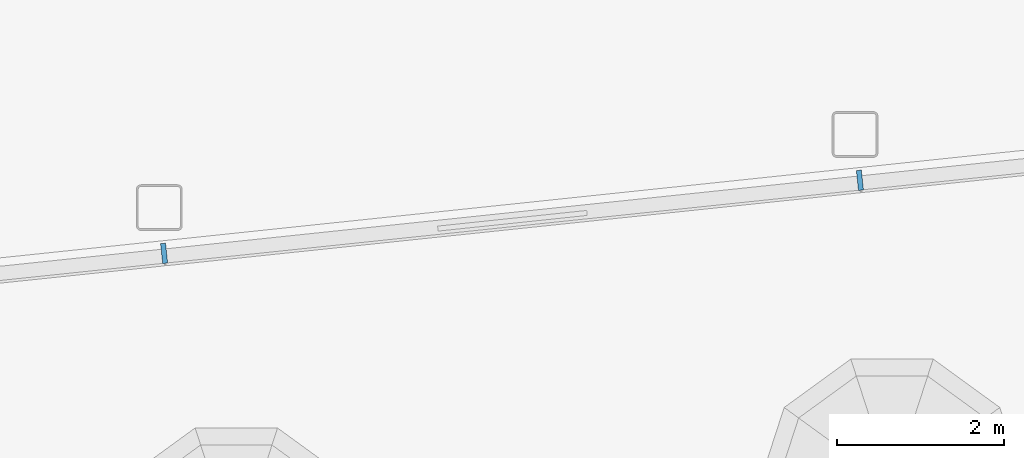
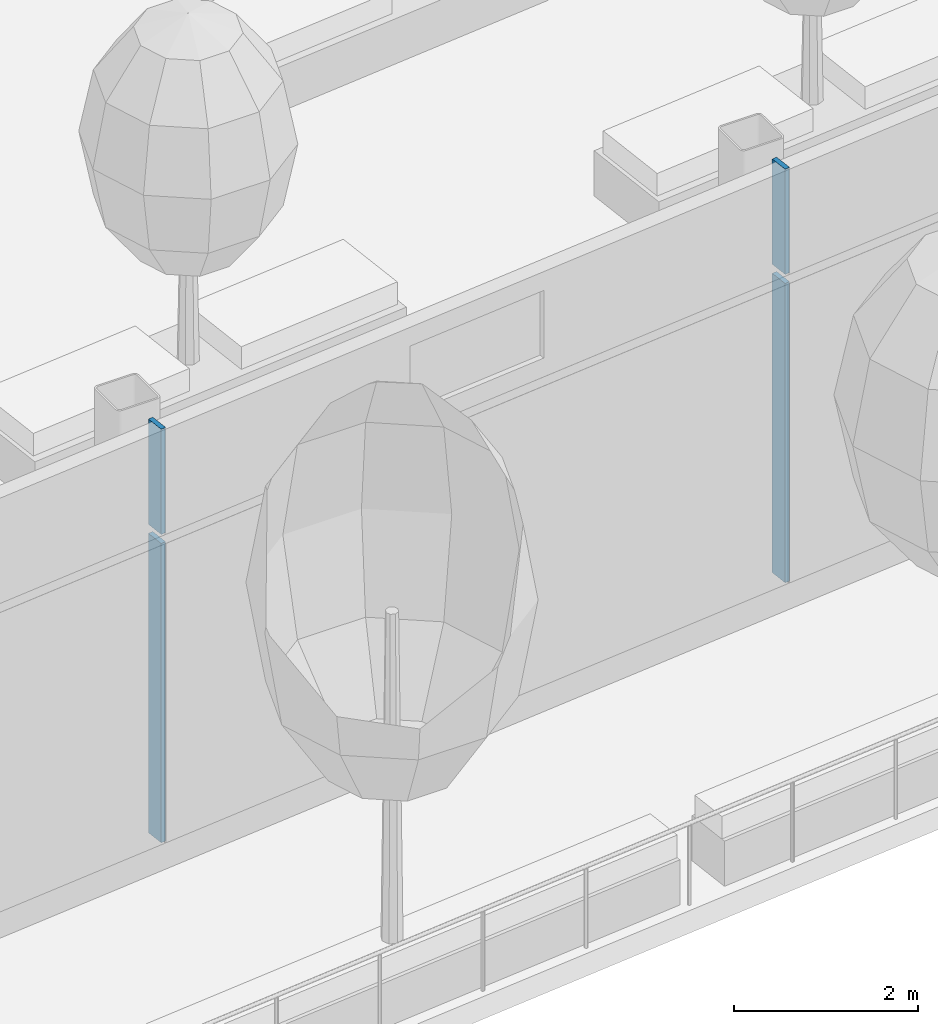
# One storey, part 4 of 42: 4 members, 1 element without a shape of its own.
"""IFC4 building model written with IfcOpenShell, lengths in metres."""

from ifc_helpers import new_model, si_unit, direction, frame, origin, origin_2d, place, context, subcontext, project, spatial, rectangle, extrude, material, layer, layer_set, material_profile, profile_set, type_object, element, aggregate, save


model = new_model("IFC4")

# Units and contexts
model_context = context("Model", 3, precision=1e-05, world=origin(), true_north=direction((0.0, 1.0)))
body_context = subcontext(model_context, "Body", "Model", "MODEL_VIEW")
ifc_project = project(units=[si_unit("LENGTHUNIT", "METRE"), si_unit("AREAUNIT", "SQUARE_METRE"), si_unit("VOLUMEUNIT", "CUBIC_METRE"), si_unit("PLANEANGLEUNIT", "RADIAN"), si_unit("MASSUNIT", "GRAM", prefix="KILO")], contexts=[model_context])

# Site, building, storey
site_placement = place(None, origin())
site = spatial("IfcSite", under=ifc_project, at=site_placement, CompositionType="ELEMENT")
building_placement = place(site_placement, origin())
building = spatial("IfcBuilding", under=site, at=building_placement, Name="Hakoniwa Tower and Hamabe Station Hall", CompositionType="ELEMENT")
storey_placement = place(building_placement, frame((0.0, 0.0, 232.60009765625)))
storey = spatial("IfcBuildingStorey", under=building, at=storey_placement, Name="L66", CompositionType="ELEMENT", Elevation=232.60009765625)

# Curtain wall, members
ifc_material_1 = material(Name="Dark low-e laminated glass", Category="glass")
ifc_layer = layer(ifc_material_1, 0.199951171875)
ifc_layer_set = layer_set([ifc_layer], Name="CW-2 SKY GARDEN")
curtain_wall_type = type_object("IfcCurtainWallType", Name="CW-2 SKY GARDEN", PredefinedType="NOTDEFINED", material=ifc_layer_set)
curtain_wall_placement = place(storey_placement, origin())
curtain_wall = element("IfcCurtainWall", 1, at=curtain_wall_placement, inside=storey, type_object=curtain_wall_type, Name="CW-2 curtain wall", PredefinedType="NOTDEFINED")
ifc_material_2 = material(Name="Aluminium 6063-T5 black anodised", Category="aluminium")
ifc_material_profile = material_profile(ifc_material_2, rectangle(XDim=0.06005859375, YDim=0.239990234375, at=origin_2d()), Name="CW-2 MULLION 60X240")
ifc_profile_set = profile_set([ifc_material_profile], Name="Aluminium 6063-T5 black anodised")
member_type = type_object("IfcMemberType", Name="CW-2 MULLION 60X240", PredefinedType="MULLION", material=ifc_profile_set)
member_1_placement = place(storey_placement, frame((-6.56103515625, -15.43603515625, 0.349853515625), z_axis=(0.0, 0.0, 1.0), x_axis=(0.994521895272, 0.104528464188, 0.0)))
member_1 = element("IfcMember", 2, at=member_1_placement, type_object=member_type, Name="CW-2 mullion", PredefinedType="MULLION", context=body_context, shape_type="SweptSolid", body=[
    extrude(rectangle(XDim=0.06005859375, YDim=0.239990234375, at=origin_2d()), origin(), (0.0, 0.0, 1.0), 3.97998046875),
])
member_2_placement = place(storey_placement, frame((-6.56103515625, -15.43603515625, 4.449951171875), z_axis=(0.0, 0.0, 1.0), x_axis=(0.994521895272, 0.104528464188, 0.0)))
member_2 = element("IfcMember", 3, at=member_2_placement, type_object=member_type, Name="CW-2 mullion", PredefinedType="MULLION", context=body_context, shape_type="SweptSolid", body=[
    extrude(rectangle(XDim=0.06005859375, YDim=0.239990234375, at=origin_2d()), origin(), (0.0, 0.0, 1.0), 1.39990234375),
])
member_3_placement = place(storey_placement, frame((1.79296875, -14.55810546875, 0.349853515625), z_axis=(0.0, 0.0, 1.0), x_axis=(0.994521895272, 0.104528464188, 0.0)))
member_3 = element("IfcMember", 4, at=member_3_placement, type_object=member_type, Name="CW-2 mullion", PredefinedType="MULLION", context=body_context, shape_type="SweptSolid", body=[
    extrude(rectangle(XDim=0.06005859375, YDim=0.239990234375, at=origin_2d()), origin(), (0.0, 0.0, 1.0), 3.97998046875),
])
member_4_placement = place(storey_placement, frame((1.79296875, -14.55810546875, 4.449951171875), z_axis=(0.0, 0.0, 1.0), x_axis=(0.994521895272, 0.104528464188, 0.0)))
member_4 = element("IfcMember", 5, at=member_4_placement, type_object=member_type, Name="CW-2 mullion", PredefinedType="MULLION", context=body_context, shape_type="SweptSolid", body=[
    extrude(rectangle(XDim=0.06005859375, YDim=0.239990234375, at=origin_2d()), origin(), (0.0, 0.0, 1.0), 1.39990234375),
])
aggregate(curtain_wall, [member_1, member_2, member_3, member_4])

save(model, "model.ifc")
